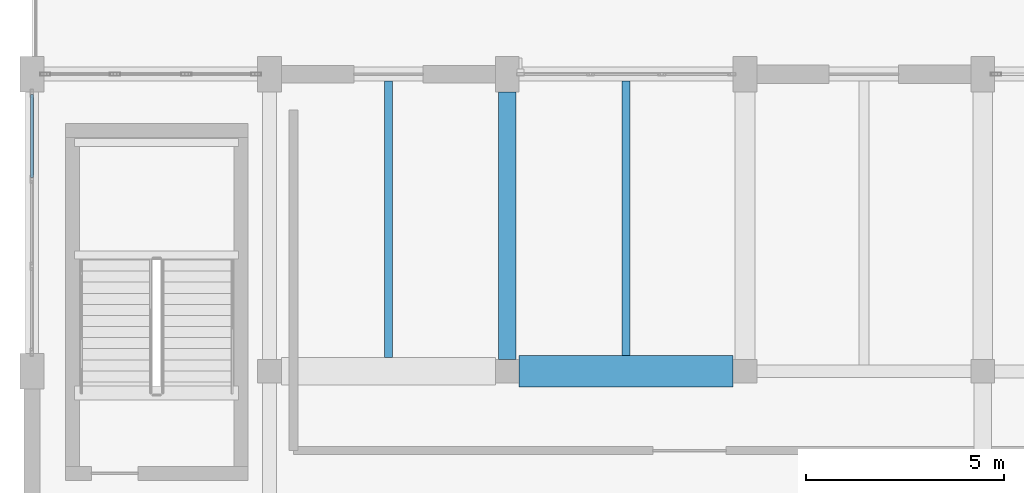
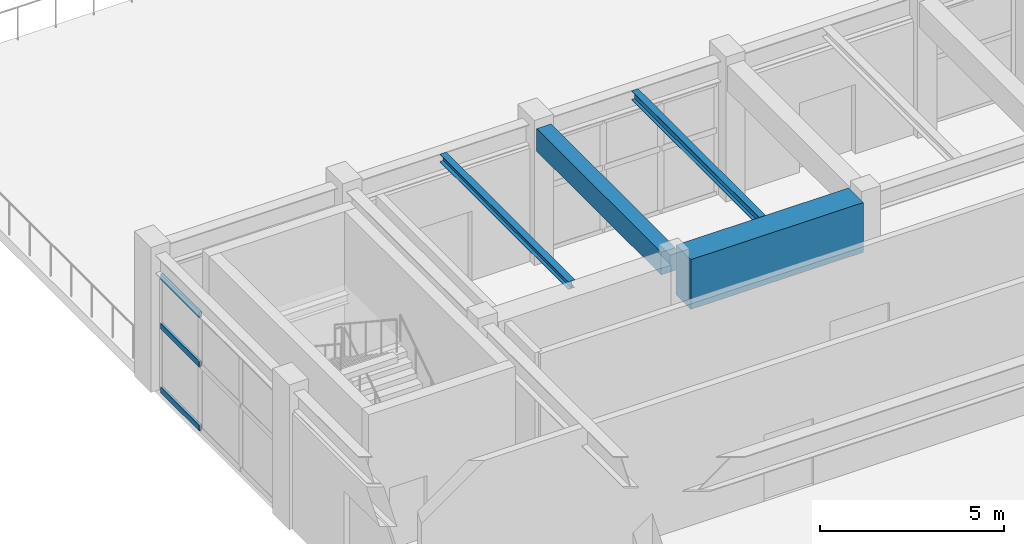
# One storey, part 34 of 80: 4 beams, 3 members, 1 element without a shape of its own.
"""IFC4 building model written with IfcOpenShell, lengths in metres."""

from ifc_helpers import new_model, si_unit, direction, frame, origin, origin_2d, place, context, subcontext, project, spatial, rectangle, hollow_rectangle, i_section, extrude, material, layer, layer_set, material_profile, profile_set, type_object, element, aggregate, save


model = new_model("IFC4")

# Units and contexts
model_context = context("Model", 3, precision=1e-05, world=origin(), true_north=direction((0.0, 1.0)))
body_context = subcontext(model_context, "Body", "Model", "MODEL_VIEW")
ifc_project = project(units=[si_unit("LENGTHUNIT", "METRE"), si_unit("AREAUNIT", "SQUARE_METRE"), si_unit("VOLUMEUNIT", "CUBIC_METRE"), si_unit("PLANEANGLEUNIT", "RADIAN"), si_unit("MASSUNIT", "GRAM", prefix="KILO")], contexts=[model_context])

# Site, building, storey
site_placement = place(None, origin())
site = spatial("IfcSite", under=ifc_project, at=site_placement, CompositionType="ELEMENT")
building_placement = place(site_placement, origin())
building = spatial("IfcBuilding", under=site, at=building_placement, Name="Vaelkrest Opera House", CompositionType="ELEMENT")
storey_placement = place(building_placement, frame((0.0, 0.0, 15.0)))
storey = spatial("IfcBuildingStorey", under=building, at=storey_placement, Name="L03", CompositionType="ELEMENT", Elevation=15.0)

# Beams
ifc_material_1 = material(Name="Concrete C50/60", Category="concrete")
ifc_material_profile_1 = material_profile(ifc_material_1, rectangle(XDim=0.449951171875, YDim=0.75, at=origin_2d()), Name="RCB450X750")
ifc_profile_set_1 = profile_set([ifc_material_profile_1], Name="Concrete C50/60")
beam_type_1 = type_object("IfcBeamType", Name="B02", PredefinedType="BEAM", material=ifc_profile_set_1)
beam_1_placement = place(storey_placement, frame((-63.60009765625, 10.5, 4.1298828125), z_axis=(0.0, 1.0, 0.0), x_axis=(-1.0, 0.0, 0.0)))
element("IfcBeam", 1, at=beam_1_placement, inside=storey, type_object=beam_type_1, Name="Beam BM-V3-L03-1771", PredefinedType="BEAM", context=body_context, shape_type="SweptSolid", body=[
    extrude(rectangle(XDim=0.449951171875, YDim=0.75, at=origin_2d()), origin(), (0.0, 0.0, 1.0), 6.75),
])
ifc_material_profile_2 = material_profile(ifc_material_1, rectangle(XDim=0.800048828125, YDim=1.64990234375, at=origin_2d()), Name="RCB800X1650")
ifc_profile_set_2 = profile_set([ifc_material_profile_2], Name="Concrete C50/60")
beam_type_2 = type_object("IfcBeamType", Name="B07", PredefinedType="BEAM", material=ifc_profile_set_2)
beam_2_placement = place(storey_placement, frame((-63.300048828125, 10.199951171875, 3.679931640625), z_axis=(1.0, 0.0, 0.0), x_axis=(0.0, 1.0, 0.0)))
element("IfcBeam", 2, at=beam_2_placement, inside=storey, type_object=beam_type_2, Name="Beam BM-V3-L03-1752", PredefinedType="BEAM", context=body_context, shape_type="SweptSolid", body=[
    extrude(rectangle(XDim=0.800048828125, YDim=1.64990234375, at=origin_2d()), origin(), (0.0, 0.0, 1.0), 5.400146484375),
])

# Curtain wall, members
ifc_material_2 = material(Name="Dark bronze anodized aluminium", Category="aluminium")
ifc_layer = layer(ifc_material_2, 0.22998046875)
ifc_layer_set = layer_set([ifc_layer], Name="Dark bronze anodized aluminium")
curtain_wall_type = type_object("IfcCurtainWallType", Name="CW06", PredefinedType="NOTDEFINED", material=ifc_layer_set)
curtain_wall_placement = place(storey_placement, origin())
curtain_wall = element("IfcCurtainWall", 3, at=curtain_wall_placement, inside=storey, type_object=curtain_wall_type, Name="Curtain wall CW-L03-130", PredefinedType="NOTDEFINED")
ifc_material_profile_3 = material_profile(ifc_material_2, hollow_rectangle(XDim=0.080078125, YDim=0.18994140625, WallThickness=0.0048828125, at=origin_2d()), Name="CWT80X190")
ifc_profile_set_3 = profile_set([ifc_material_profile_3], Name="Dark bronze anodized aluminium")
member_type = type_object("IfcMemberType", Name="CWT04", PredefinedType="USERDEFINED", material=ifc_profile_set_3)
member_1_placement = place(storey_placement, frame((-75.60009765625, 15.085693359375, 0.0400390625), z_axis=(0.0, 1.0, 0.0), x_axis=(-1.0, 0.0, 0.0)))
member_1 = element("IfcMember", 4, at=member_1_placement, type_object=member_type, Name="CW06 transom 3.1", ObjectType="TRANSOM", PredefinedType="USERDEFINED", context=body_context, shape_type="SweptSolid", body=[
    extrude(hollow_rectangle(XDim=0.080078125, YDim=0.18994140625, WallThickness=0.0048828125, at=origin_2d()), origin(), (0.0, 0.0, 1.0), 2.09619140625),
])
member_2_placement = place(storey_placement, frame((-75.60009765625, 15.085693359375, 2.14990234375), z_axis=(0.0, 1.0, 0.0), x_axis=(-1.0, 0.0, 0.0)))
member_2 = element("IfcMember", 5, at=member_2_placement, type_object=member_type, Name="CW06 transom 3.2", ObjectType="TRANSOM", PredefinedType="USERDEFINED", context=body_context, shape_type="SweptSolid", body=[
    extrude(hollow_rectangle(XDim=0.080078125, YDim=0.18994140625, WallThickness=0.0048828125, at=origin_2d()), origin(), (0.0, 0.0, 1.0), 2.09619140625),
])
member_3_placement = place(storey_placement, frame((-75.60009765625, 15.085693359375, 3.7890625), z_axis=(0.0, 1.0, 0.0), x_axis=(-1.0, 0.0, 0.0)))
member_3 = element("IfcMember", 6, at=member_3_placement, type_object=member_type, Name="CW06 transom 3.3", ObjectType="TRANSOM", PredefinedType="USERDEFINED", context=body_context, shape_type="SweptSolid", body=[
    extrude(hollow_rectangle(XDim=0.080078125, YDim=0.18994140625, WallThickness=0.0048828125, at=origin_2d()), origin(), (0.0, 0.0, 1.0), 2.09619140625),
])
aggregate(curtain_wall, [member_1, member_2, member_3])

# Beams
ifc_material_3 = material(Name="Steel A992 Gr50", Category="steel")
ifc_material_profile_4 = material_profile(ifc_material_3, i_section(OverallWidth=0.2041015625, OverallDepth=0.257080078125, WebThickness=0.0087890625, FlangeThickness=0.015625, at=origin_2d()), Name="W10X45")
ifc_profile_set_4 = profile_set([ifc_material_profile_4], Name="Steel A992 Gr50")
beam_type_3 = type_object("IfcBeamType", Name="J01", PredefinedType="JOIST", material=ifc_profile_set_4)
beam_3_placement = place(storey_placement, frame((-66.60009765625, 10.550048828125, 4.37646484375), z_axis=(0.0, 1.0, 0.0), x_axis=(-1.0, 0.0, 0.0)))
element("IfcBeam", 7, at=beam_3_placement, inside=storey, type_object=beam_type_3, Name="Floor joist JST-V3-L03-1791", PredefinedType="JOIST", context=body_context, shape_type="SweptSolid", body=[
    extrude(i_section(OverallWidth=0.2041015625, OverallDepth=0.257080078125, WebThickness=0.0087890625, FlangeThickness=0.015625, at=origin_2d()), origin(), (0.0, 0.0, 1.0), 6.972412109375),
])
ifc_material_profile_5 = material_profile(ifc_material_3, i_section(OverallWidth=0.202880859375, OverallDepth=0.302978515625, WebThickness=0.007568359375, FlangeThickness=0.01318359375, at=origin_2d()), Name="W12X40")
ifc_profile_set_5 = profile_set([ifc_material_profile_5], Name="Steel A992 Gr50")
beam_type_4 = type_object("IfcBeamType", Name="J02", PredefinedType="JOIST", material=ifc_profile_set_5)
beam_4_placement = place(storey_placement, frame((-60.60009765625, 10.60009765625, 4.353515625), z_axis=(0.0, 1.0, 0.0), x_axis=(-1.0, 0.0, 0.0)))
element("IfcBeam", 8, at=beam_4_placement, inside=storey, type_object=beam_type_4, Name="Floor joist JST-V3-L03-1792", PredefinedType="JOIST", context=body_context, shape_type="SweptSolid", body=[
    extrude(i_section(OverallWidth=0.202880859375, OverallDepth=0.302978515625, WebThickness=0.007568359375, FlangeThickness=0.01318359375, at=origin_2d()), origin(), (0.0, 0.0, 1.0), 6.92236328125),
])

save(model, "model.ifc")
